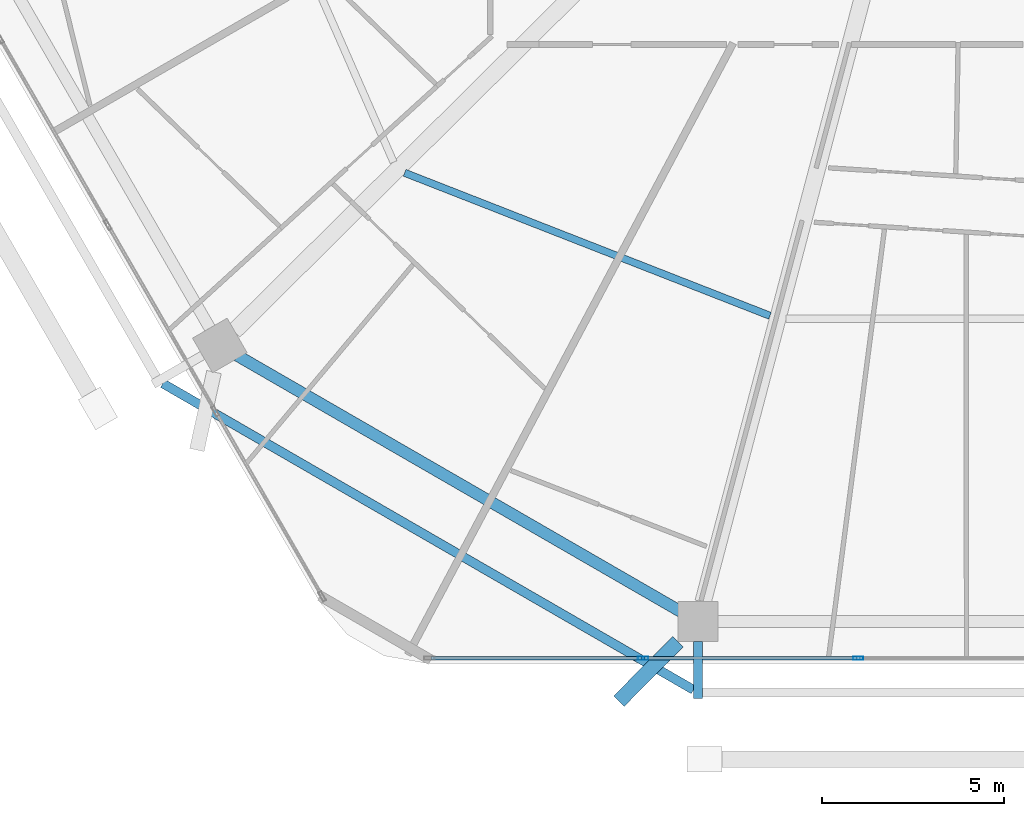
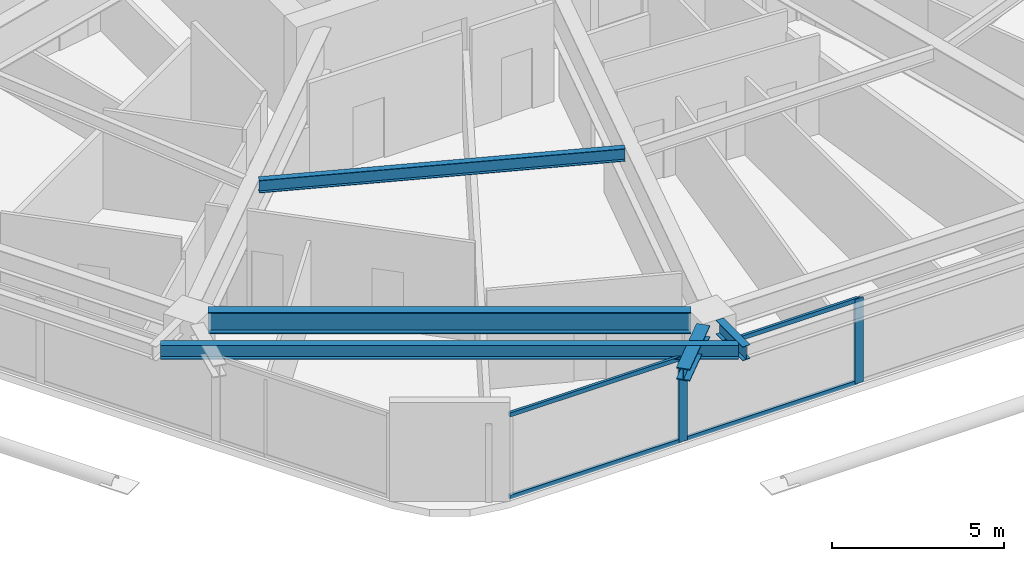
# One storey, part 3 of 33: 6 members, 5 beams, 1 element without a shape of its own.
"""IFC4 building model written with IfcOpenShell, lengths in metres."""

from ifc_helpers import new_model, si_unit, direction, frame, origin, origin_2d, place, context, subcontext, project, spatial, hollow_rectangle, i_section, extrude, material, material_profile, profile_set, type_object, element, aggregate, save


model = new_model("IFC4")

# Units and contexts
model_context = context("Model", 3, precision=1e-05, world=origin(), true_north=direction((0.0, 1.0)))
body_context = subcontext(model_context, "Body", "Model", "MODEL_VIEW")
ifc_project = project(units=[si_unit("LENGTHUNIT", "METRE"), si_unit("AREAUNIT", "SQUARE_METRE"), si_unit("VOLUMEUNIT", "CUBIC_METRE"), si_unit("PLANEANGLEUNIT", "RADIAN"), si_unit("MASSUNIT", "GRAM", prefix="KILO")], contexts=[model_context])

# Site, building, storey
site_placement = place(None, origin())
site = spatial("IfcSite", under=ifc_project, at=site_placement, CompositionType="ELEMENT")
building_placement = place(site_placement, origin())
building = spatial("IfcBuilding", under=site, at=building_placement, Name="Zuhravey Tower", CompositionType="ELEMENT")
storey_placement = place(building_placement, frame((0.0, 0.0, 141.800048828125)))
storey = spatial("IfcBuildingStorey", under=building, at=storey_placement, Name="L35", CompositionType="ELEMENT", Elevation=141.800048828125)

# Curtain wall, members
ifc_material_1 = material(Name="Thermally broken anodised aluminium", Category="aluminium")
curtain_wall_type = type_object("IfcCurtainWallType", Name="Zone 1-2 Residential Curtain Wall CW3", PredefinedType="NOTDEFINED", material=ifc_material_1)
curtain_wall_placement = place(storey_placement, origin())
curtain_wall = element("IfcCurtainWall", 1, at=curtain_wall_placement, inside=storey, type_object=curtain_wall_type, Name="L35 CW3 CW-L35-F5-1", PredefinedType="NOTDEFINED")
ifc_material_2 = material(Name="Anodised aluminium", Category="aluminium")
ifc_material_profile_1 = material_profile(ifc_material_2, hollow_rectangle(XDim=0.090087890625, YDim=0.284912109375, WallThickness=0.0048828125, at=origin_2d()), Name="ALU-RHS-90x285x5")
ifc_profile_set_1 = profile_set([ifc_material_profile_1], Name="Anodised aluminium")
member_type_1 = type_object("IfcMemberType", Name="Curtain-Wall Mullion 90x180", PredefinedType="MULLION", material=ifc_profile_set_1)
member_1_placement = place(storey_placement, frame((33.0400390625, 3.04150390625, 0.0), z_axis=(0.0, 0.0, 1.0), x_axis=(0.0, -1.0, 0.0)))
member_1 = element("IfcMember", 2, at=member_1_placement, type_object=member_type_1, Name="CW3 mullion 4", PredefinedType="MULLION", context=body_context, shape_type="SweptSolid", body=[
    extrude(hollow_rectangle(XDim=0.090087890625, YDim=0.284912109375, WallThickness=0.0048828125, at=origin_2d()), origin(), (0.0, 0.0, 1.0), 3.02001953125),
])
member_2_placement = place(storey_placement, frame((27.120361328125, 3.04150390625, 0.0), z_axis=(0.0, 0.0, 1.0), x_axis=(0.0, -1.0, 0.0)))
member_2 = element("IfcMember", 3, at=member_2_placement, type_object=member_type_1, Name="CW3 mullion 5", PredefinedType="MULLION", context=body_context, shape_type="SweptSolid", body=[
    extrude(hollow_rectangle(XDim=0.090087890625, YDim=0.284912109375, WallThickness=0.0048828125, at=origin_2d()), origin(), (0.0, 0.0, 1.0), 3.02001953125),
])
ifc_material_profile_2 = material_profile(ifc_material_2, hollow_rectangle(XDim=0.090087890625, YDim=0.14990234375, WallThickness=0.0048828125, at=origin_2d()), Name="ALU-RHS-90x150x5")
ifc_profile_set_2 = profile_set([ifc_material_profile_2], Name="Anodised aluminium")
member_type_2 = type_object("IfcMemberType", Name="Curtain-Wall Transom 90x150", PredefinedType="USERDEFINED", material=ifc_profile_set_2)
member_3_placement = place(storey_placement, frame((32.9951171875, 3.04150390625, 0.044921875), z_axis=(-1.0, 0.0, 0.0), x_axis=(0.0, -1.0, 0.0)))
member_3 = element("IfcMember", 4, at=member_3_placement, type_object=member_type_2, Name="CW3 transom 4.1", ObjectType="TRANSOM", PredefinedType="USERDEFINED", context=body_context, shape_type="SweptSolid", body=[
    extrude(hollow_rectangle(XDim=0.090087890625, YDim=0.14990234375, WallThickness=0.0048828125, at=origin_2d()), origin(), (0.0, 0.0, 1.0), 5.829833984375),
])
member_4_placement = place(storey_placement, frame((32.9951171875, 3.04150390625, 2.974853515625), z_axis=(-1.0, 0.0, 0.0), x_axis=(0.0, -1.0, 0.0)))
member_4 = element("IfcMember", 5, at=member_4_placement, type_object=member_type_2, Name="CW3 transom 4.2", ObjectType="TRANSOM", PredefinedType="USERDEFINED", context=body_context, shape_type="SweptSolid", body=[
    extrude(hollow_rectangle(XDim=0.090087890625, YDim=0.14990234375, WallThickness=0.0048828125, at=origin_2d()), origin(), (0.0, 0.0, 1.0), 5.829833984375),
])
member_5_placement = place(storey_placement, frame((27.0751953125, 3.04150390625, 0.044921875), z_axis=(-1.0, 0.0, 0.0), x_axis=(0.0, -1.0, 0.0)))
member_5 = element("IfcMember", 6, at=member_5_placement, type_object=member_type_2, Name="CW3 transom 5.1", ObjectType="TRANSOM", PredefinedType="USERDEFINED", context=body_context, shape_type="SweptSolid", body=[
    extrude(hollow_rectangle(XDim=0.090087890625, YDim=0.14990234375, WallThickness=0.0048828125, at=origin_2d()), origin(), (0.0, 0.0, 1.0), 5.78466796875),
])
member_6_placement = place(storey_placement, frame((27.0751953125, 3.04150390625, 2.974853515625), z_axis=(-1.0, 0.0, 0.0), x_axis=(0.0, -1.0, 0.0)))
member_6 = element("IfcMember", 7, at=member_6_placement, type_object=member_type_2, Name="CW3 transom 5.2", ObjectType="TRANSOM", PredefinedType="USERDEFINED", context=body_context, shape_type="SweptSolid", body=[
    extrude(hollow_rectangle(XDim=0.090087890625, YDim=0.14990234375, WallThickness=0.0048828125, at=origin_2d()), origin(), (0.0, 0.0, 1.0), 5.78466796875),
])
aggregate(curtain_wall, [member_1, member_2, member_3, member_4, member_5, member_6])

# Beams
ifc_material_3 = material(Name="Steel SM460", Category="steel")
ifc_material_profile_3 = material_profile(ifc_material_3, i_section(OverallWidth=0.406982421875, OverallDepth=0.427978515625, WebThickness=0.02001953125, FlangeThickness=0.034912109375, at=origin_2d()), Name="H-428x407x20x35")
ifc_profile_set_3 = profile_set([ifc_material_profile_3], Name="Steel SM460")
beam_type_1 = type_object("IfcBeamType", Name="Exoskeleton Node Tie Beam H428x407", PredefinedType="BEAM", material=ifc_profile_set_3)
beam_1_placement = place(storey_placement, frame((28.08203125, 3.498779296875, 3.305908203125), z_axis=(-0.70392977303, -0.710269578851, 0.0), x_axis=(0.710269578851, -0.70392977303, 0.0)))
element("IfcBeam", 8, at=beam_1_placement, inside=storey, type_object=beam_type_1, Name="L35 Exoskeleton Node Tie NT1-09", PredefinedType="BEAM", context=body_context, shape_type="SweptSolid", body=[
    extrude(i_section(OverallWidth=0.406982421875, OverallDepth=0.427978515625, WebThickness=0.02001953125, FlangeThickness=0.034912109375, at=origin_2d()), origin(), (0.0, 0.0, 1.0), 2.310546875),
])
ifc_material_4 = material(Name="Steel SM355", Category="steel")
ifc_material_profile_4 = material_profile(ifc_material_4, i_section(OverallWidth=0.320068359375, OverallDepth=0.75, WebThickness=0.013916015625, FlangeThickness=0.02490234375, at=origin_2d()), Name="H-750x320x14x25")
ifc_profile_set_4 = profile_set([ifc_material_profile_4], Name="Steel SM355")
beam_type_2 = type_object("IfcBeamType", Name="Perimeter Ring Beam H750x320", PredefinedType="BEAM", material=ifc_profile_set_4)
beam_2_placement = place(storey_placement, frame((15.9599609375, 11.36669921875, 3.14501953125), z_axis=(0.866017786538, -0.500013193225, 0.0), x_axis=(0.500013193225, 0.866017786538, 0.0)))
element("IfcBeam", 9, at=beam_2_placement, inside=storey, type_object=beam_type_2, Name="L35 PB1 BM-L35-PB-08", PredefinedType="BEAM", context=body_context, shape_type="SweptSolid", body=[
    extrude(i_section(OverallWidth=0.320068359375, OverallDepth=0.75, WebThickness=0.013916015625, FlangeThickness=0.02490234375, at=origin_2d()), origin(), (0.0, 0.0, 1.0), 14.0771484375),
])
ifc_material_profile_5 = material_profile(ifc_material_4, i_section(OverallWidth=0.199951171875, OverallDepth=0.449951171875, WebThickness=0.009033203125, FlangeThickness=0.013916015625, at=origin_2d()), Name="H-450x200x9x14")
ifc_profile_set_5 = profile_set([ifc_material_profile_5], Name="Steel SM355")
beam_type_3 = type_object("IfcBeamType", Name="Secondary Floor Joist H450x200", PredefinedType="JOIST", material=ifc_profile_set_5)
beam_3_placement = place(storey_placement, frame((20.564453125, 16.391357421875, 3.294921875), z_axis=(0.93121773873, -0.364463335708, 0.0), x_axis=(0.364463335708, 0.93121773873, 0.0)))
element("IfcBeam", 10, at=beam_3_placement, inside=storey, type_object=beam_type_3, Name="L35 SJ1 BM-L35-SJ-08-1", PredefinedType="JOIST", context=body_context, shape_type="SweptSolid", body=[
    extrude(i_section(OverallWidth=0.199951171875, OverallDepth=0.449951171875, WebThickness=0.009033203125, FlangeThickness=0.013916015625, at=origin_2d()), origin(), (0.0, 0.0, 1.0), 10.78955078125),
])
ifc_material_profile_6 = material_profile(ifc_material_4, i_section(OverallWidth=0.25, OverallDepth=0.5, WebThickness=0.010009765625, FlangeThickness=0.01611328125, at=origin_2d()), Name="H-500x250x10x16")
ifc_profile_set_6 = profile_set([ifc_material_profile_6], Name="Steel SM355")
beam_type_4 = type_object("IfcBeamType", Name="Tray Cantilever Spandrel H500x250", PredefinedType="SPANDREL", material=ifc_profile_set_6)
beam_4_placement = place(storey_placement, frame((28.6298828125, 3.49755859375, 3.27001953125), z_axis=(0.0, -1.0, 0.0), x_axis=(1.0, 0.0, 0.0)))
element("IfcBeam", 11, at=beam_4_placement, inside=storey, type_object=beam_type_4, Name="L35 Sky-Tray Cantilever Arm TSB1-R09", PredefinedType="SPANDREL", context=body_context, shape_type="SweptSolid", body=[
    extrude(i_section(OverallWidth=0.25, OverallDepth=0.5, WebThickness=0.010009765625, FlangeThickness=0.01611328125, at=origin_2d()), origin(), (0.0, 0.0, 1.0), 1.566162109375),
])
beam_5_placement = place(storey_placement, frame((13.91357421875, 10.59814453125, 3.27001953125), z_axis=(0.866020095686, -0.500009193783, 0.0), x_axis=(0.500009193783, 0.866020095686, 0.0)))
element("IfcBeam", 12, at=beam_5_placement, inside=storey, type_object=beam_type_4, Name="L35 Sky-Tray Edge Spandrel TSB1-08", PredefinedType="SPANDREL", context=body_context, shape_type="SweptSolid", body=[
    extrude(i_section(OverallWidth=0.25, OverallDepth=0.5, WebThickness=0.010009765625, FlangeThickness=0.01611328125, at=origin_2d()), origin(), (0.0, 0.0, 1.0), 16.853271484375),
])

save(model, "model.ifc")
